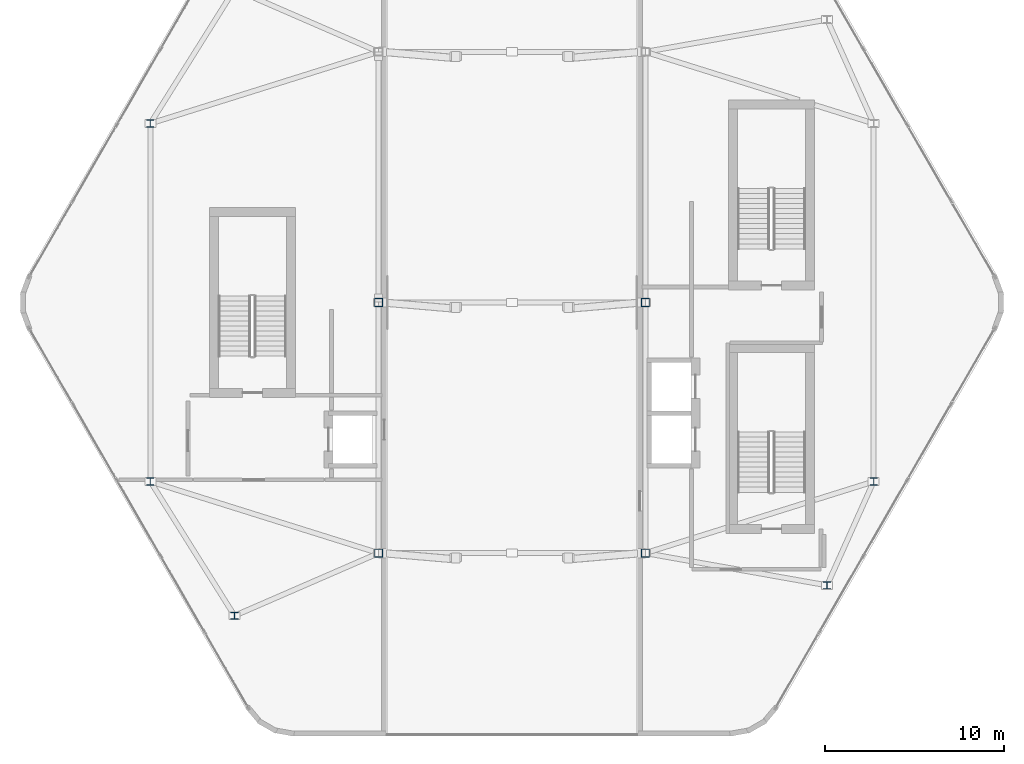
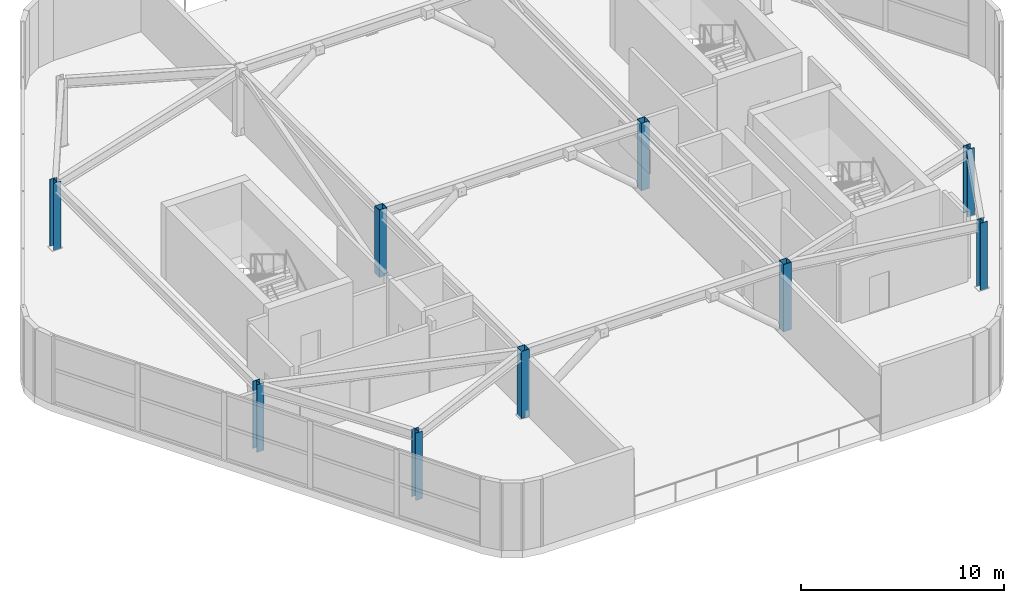
# One storey, part 1 of 17: 9 columns.
"""IFC4 building model written with IfcOpenShell, lengths in metres."""

from ifc_helpers import new_model, si_unit, direction, frame, origin, origin_2d, place, context, subcontext, project, spatial, hollow_rectangle, i_section, extrude, material, material_profile, profile_set, type_object, element, save


model = new_model("IFC4")

# Units and contexts
model_context = context("Model", 3, precision=1e-05, world=origin(), true_north=direction((0.0, 1.0)))
body_context = subcontext(model_context, "Body", "Model", "MODEL_VIEW")
ifc_project = project(units=[si_unit("LENGTHUNIT", "METRE"), si_unit("AREAUNIT", "SQUARE_METRE"), si_unit("VOLUMEUNIT", "CUBIC_METRE"), si_unit("PLANEANGLEUNIT", "RADIAN"), si_unit("MASSUNIT", "GRAM", prefix="KILO")], contexts=[model_context])

# Site, building, storey
site_placement = place(None, origin())
site = spatial("IfcSite", under=ifc_project, at=site_placement, CompositionType="ELEMENT")
building_placement = place(site_placement, origin())
building = spatial("IfcBuilding", under=site, at=building_placement, Name="Zuhravey Tower", CompositionType="ELEMENT")
storey_placement = place(building_placement, frame((0.0, 0.0, 361.39990234375)))
storey = spatial("IfcBuildingStorey", under=building, at=storey_placement, Name="L92", CompositionType="ELEMENT", Elevation=361.39990234375)

# Columns
ifc_material = material(Name="Steel SM355", Category="steel")
ifc_material_profile_1 = material_profile(ifc_material, i_section(OverallWidth=0.39990234375, OverallDepth=0.39990234375, WebThickness=0.012939453125, FlangeThickness=0.02099609375, at=origin_2d()), Name="H-400x400x13x21")
ifc_profile_set_1 = profile_set([ifc_material_profile_1], Name="Steel SM355")
column_type_1 = type_object("IfcColumnType", Name="Crown Crest Column H400x400", PredefinedType="COLUMN", material=ifc_profile_set_1)
for number, where, z_axis, x_axis, name in (
    (1, (15.800048828125, 22.0, 0.0), (0.0, 0.0, 1.0), (1.0, 0.0, 0.0), "L92 West Crest Column WC1"),
    (2, (15.800048828125, 42.0, 0.0), (0.0, 0.0, 1.0), (1.0, 0.0, 0.0), "L92 West Crest Column WC2"),
    (3, (20.5, 14.5, 0.0), (0.0, 0.0, 1.0), (1.0, 0.0, 0.0), "L92 West Crest Column WC3"),
    (4, (56.199951171875, 22.0, 0.0), (0.0, 0.0, 1.0), (1.0, 0.0, 0.0), "L92 East Crest Column EC1"),
    (5, (53.60009765625, 16.199951171875, 0.0), (0.0, 0.0, 1.0), (1.0, 0.0, 0.0), "L92 East Crest Column EC3"),
):
    element("IfcColumn", number, at=place(storey_placement, frame(where, z_axis=z_axis, x_axis=x_axis)), inside=storey, type_object=column_type_1, Name=name, PredefinedType="COLUMN", context=body_context, shape_type="SweptSolid", body=[
        extrude(i_section(OverallWidth=0.39990234375, OverallDepth=0.39990234375, WebThickness=0.012939453125, FlangeThickness=0.02099609375, at=origin_2d()), origin(), (0.0, 0.0, 1.0), 4.050048828125),
    ])
ifc_material_profile_2 = material_profile(ifc_material, hollow_rectangle(XDim=0.449951171875, YDim=0.449951171875, WallThickness=0.02197265625, at=origin_2d()), Name="RHS-450x450x22")
ifc_profile_set_2 = profile_set([ifc_material_profile_2], Name="Steel SM355")
column_type_2 = type_object("IfcColumnType", Name="Crown Portal Pilaster RHS450x450", PredefinedType="PILASTER", material=ifc_profile_set_2)
for number, where, z_axis, x_axis, name in (
    (6, (28.550048828125, 18.0, 0.0), (0.0, 0.0, 1.0), (1.0, 0.0, 0.0), "L92 West Crest Column WP1"),
    (7, (28.550048828125, 32.0, 0.0), (0.0, 0.0, 1.0), (1.0, 0.0, 0.0), "L92 West Crest Column WP2"),
    (8, (43.449951171875, 18.0, 0.0), (0.0, 0.0, 1.0), (1.0, 0.0, 0.0), "L92 East Crest Column EP1"),
    (9, (43.449951171875, 32.0, 0.0), (0.0, 0.0, 1.0), (1.0, 0.0, 0.0), "L92 East Crest Column EP2"),
):
    element("IfcColumn", number, at=place(storey_placement, frame(where, z_axis=z_axis, x_axis=x_axis)), inside=storey, type_object=column_type_2, Name=name, PredefinedType="PILASTER", context=body_context, shape_type="SweptSolid", body=[
        extrude(hollow_rectangle(XDim=0.449951171875, YDim=0.449951171875, WallThickness=0.02197265625, at=origin_2d()), origin(), (0.0, 0.0, 1.0), 4.050048828125),
    ])

save(model, "model.ifc")
